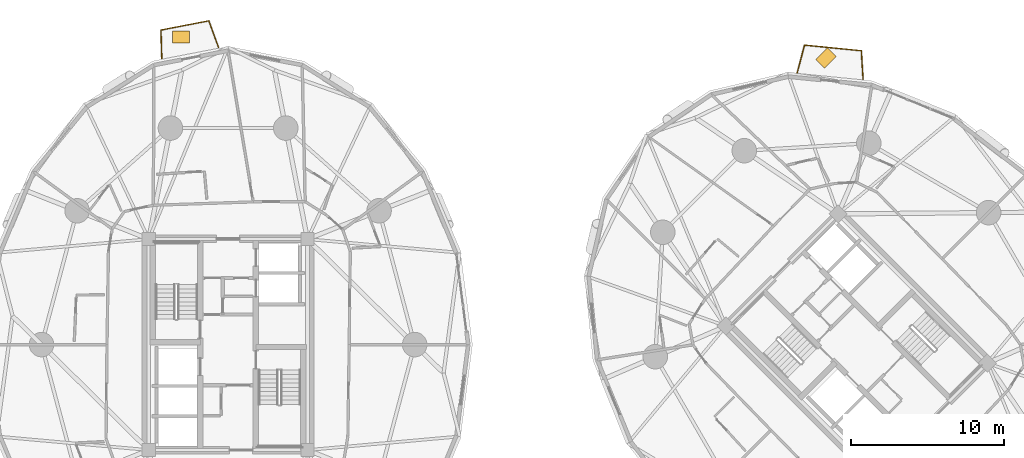
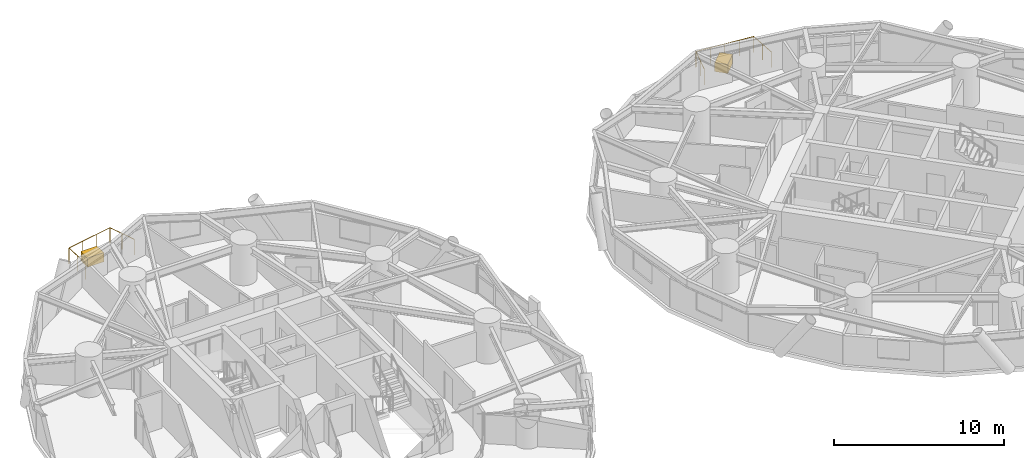
# One storey, part 18 of 18: 2 coverings, 2 railings.
"""IFC4 building model written with IfcOpenShell, lengths in metres."""

import ifcopenshell
import ifcopenshell.guid

model = None  # the IFC model being written
_history = None  # IfcOwnerHistory: only IFC2X3 demands one
_inside = {}  # id of a spatial element -> (the spatial element, [elements in it])
_under = {}  # id of a project, library or spatial element -> (it, [spatial elements below it])
_declared = {}  # id of a project -> (the project, [libraries it declares])
_typed = {}  # id of a type object -> (the type object, [elements of that type])
_made_of = {}  # id of a material, layer set ... -> (it, [elements and type objects made of it])


def new_model(schema):
    """Start an empty IFC model of exactly this schema.

    Asked for "IFC4X3", IfcOpenShell would pick the latest addendum, in which some entities
    have other attributes; the version numbers below select the first issue.
    IFC2X3 requires an IfcOwnerHistory on every rooted entity: one is made here for all.
    """
    global model, _history
    if schema == "IFC4X3":
        model = ifcopenshell.file(schema_version=(4, 3, 0, 0))
    else:
        model = ifcopenshell.file(schema=schema)
    _inside.clear()
    _under.clear()
    _declared.clear()
    _typed.clear()
    _made_of.clear()
    _history = None
    if model.schema == "IFC2X3":
        org = make("IfcOrganization", Name="unknown")
        user = make(
            "IfcPersonAndOrganization",
            ThePerson=make("IfcPerson", FamilyName="unknown"),
            TheOrganization=org,
        )
        app = make(
            "IfcApplication",
            ApplicationDeveloper=org,
            Version="unknown",
            ApplicationFullName="unknown",
            ApplicationIdentifier="unknown",
        )
        _history = make(
            "IfcOwnerHistory",
            OwningUser=user,
            OwningApplication=app,
            ChangeAction="ADDED",
            CreationDate=0,
        )
    return model


def make(cls, **values):
    """One entity of the class cls with the attributes given. An attribute that is None is left unset."""
    return model.create_entity(
        cls, **{name: value for name, value in values.items() if value is not None}
    )


def rooted(cls, **values):
    """An entity with a GlobalId (a new one), such as an element, a storey or a relation."""
    return make(cls, GlobalId=ifcopenshell.guid.new(), OwnerHistory=_history, **values)


def si_unit(unit_type, name, prefix=None):
    """IfcSIUnit, for example si_unit("LENGTHUNIT", "METRE", prefix="MILLI")."""
    return make("IfcSIUnit", UnitType=unit_type, Prefix=prefix, Name=name)


def assignment(units):
    """IfcUnitAssignment: the units of a project."""
    return None if units is None else make("IfcUnitAssignment", Units=units)


def point(xyz):
    """IfcCartesianPoint."""
    return None if xyz is None else make("IfcCartesianPoint", Coordinates=xyz)


def direction(xyz):
    """IfcDirection."""
    return None if xyz is None else make("IfcDirection", DirectionRatios=xyz)


def frame(location, z_axis=None, x_axis=None):
    """IfcAxis2Placement3D, a coordinate frame: its origin and axes. An axis left out is left unset."""
    return make(
        "IfcAxis2Placement3D",
        Location=point(location),
        Axis=direction(z_axis),
        RefDirection=direction(x_axis),
    )


def frame_2d(location, x_axis=None):
    """IfcAxis2Placement2D, a coordinate frame in the plane: its origin and x axis."""
    return make(
        "IfcAxis2Placement2D", Location=point(location), RefDirection=direction(x_axis)
    )


def origin():
    """The frame at (0, 0, 0) with its axes left unset."""
    return frame((0.0, 0.0, 0.0))


def origin_2d():
    """The frame at (0, 0) in the plane with its x axis left unset."""
    return frame_2d((0.0, 0.0))


def place(relative_to, where):
    """IfcLocalPlacement: puts the frame where relative to a parent placement (None: the world)."""
    return make(
        "IfcLocalPlacement", PlacementRelTo=relative_to, RelativePlacement=where
    )


def context(
    kind, dimensions, precision=None, world=None, true_north=None, identifier=None
):
    """IfcGeometricRepresentationContext, for example the 3D "Model" context."""
    return make(
        "IfcGeometricRepresentationContext",
        ContextIdentifier=identifier,
        ContextType=kind,
        CoordinateSpaceDimension=dimensions,
        Precision=precision,
        WorldCoordinateSystem=world,
        TrueNorth=true_north,
    )


def subcontext(parent, identifier, kind, view, scale=None):
    """IfcGeometricRepresentationSubContext, for example "Body" below "Model"."""
    return make(
        "IfcGeometricRepresentationSubContext",
        ContextIdentifier=identifier,
        ContextType=kind,
        ParentContext=parent,
        TargetScale=scale,
        TargetView=view,
    )


def project(units=None, contexts=None):
    """IfcProject with its units and contexts."""
    return rooted(
        "IfcProject",
        Name="project",
        RepresentationContexts=contexts,
        UnitsInContext=assignment(units),
    )


def spatial(cls, under=None, at=None, **own):
    """A site, building, storey or space (cls), placed at a placement, below another one or the project."""
    s = rooted(cls, ObjectPlacement=at, **own)
    if under is not None:
        _under.setdefault(under.id(), (under, []))[1].append(s)
    return s


def profile(cls, at=None, kind="AREA", **sizes):
    """A parametric profile (cls). Its sizes go by their IFC names, for example OverallWidth=200.0."""
    return make(cls, ProfileType=kind, Position=at, **sizes)


def rectangle(**sizes):
    """IfcRectangleProfileDef."""
    return profile("IfcRectangleProfileDef", **sizes)


def circle(**sizes):
    """IfcCircleProfileDef."""
    return profile("IfcCircleProfileDef", **sizes)


def extrude(swept, where, along, depth):
    """IfcExtrudedAreaSolid: the profile swept, set in the frame where, extruded along a direction by depth."""
    return make(
        "IfcExtrudedAreaSolid",
        SweptArea=swept,
        Position=where,
        ExtrudedDirection=direction(along),
        Depth=depth,
    )


def shape(context_of_items, identifier, shape_type, items):
    """IfcShapeRepresentation: the items that make up one representation, for example the "Body"."""
    return make(
        "IfcShapeRepresentation",
        ContextOfItems=context_of_items,
        RepresentationIdentifier=identifier,
        RepresentationType=shape_type,
        Items=items,
    )


def source(mapping_origin, context_of_items, identifier, shape_type, items):
    """IfcRepresentationMap: a shape defined once, which mapped items show again and again."""
    return make(
        "IfcRepresentationMap",
        MappingOrigin=mapping_origin,
        MappedRepresentation=shape(context_of_items, identifier, shape_type, items),
    )


def transform(
    local_origin,
    x_axis=None,
    y_axis=None,
    z_axis=None,
    scale=None,
    scale2=None,
    scale3=None,
    uniform=True,
):
    """IfcCartesianTransformationOperator3D, or its non-uniform kind. x_axis, y_axis, z_axis: its Axis1, 2, 3."""
    if uniform:
        return make(
            "IfcCartesianTransformationOperator3D",
            Axis1=direction(x_axis),
            Axis2=direction(y_axis),
            LocalOrigin=point(local_origin),
            Scale=scale,
            Axis3=direction(z_axis),
        )
    return make(
        "IfcCartesianTransformationOperator3DnonUniform",
        Axis1=direction(x_axis),
        Axis2=direction(y_axis),
        LocalOrigin=point(local_origin),
        Scale=scale,
        Axis3=direction(z_axis),
        Scale2=scale2,
        Scale3=scale3,
    )


def mapped(mapping_source, mapping_target):
    """IfcMappedItem: shows the shape of a source again, moved by a transform."""
    return make(
        "IfcMappedItem", MappingSource=mapping_source, MappingTarget=mapping_target
    )


def material(Name=None, Category=None):
    """IfcMaterial."""
    return make("IfcMaterial", Name=Name, Category=Category)


def layer(
    of_material, thickness, ventilated=None, Name=None, Category=None, Priority=None
):
    """IfcMaterialLayer: one layer of a wall or slab, of a material (None: an air gap)."""
    return make(
        "IfcMaterialLayer",
        Material=of_material,
        LayerThickness=thickness,
        IsVentilated=ventilated,
        Name=Name,
        Category=Category,
        Priority=Priority,
    )


def layer_set(layers, Name=None):
    """IfcMaterialLayerSet."""
    return make("IfcMaterialLayerSet", MaterialLayers=layers, LayerSetName=Name)


def made_of(thing, what):
    """Note that an element or type object is made of a material, layer set ...; save() writes the relation."""
    if what is not None:
        _made_of.setdefault(what.id(), (what, []))[1].append(thing)
    return thing


def type_object(cls, material=None, **own):
    """A type object (cls), such as IfcWallType, which elements share."""
    return made_of(rooted(cls, **own), material)


def element(
    cls,
    number,
    at=None,
    inside=None,
    cuts=None,
    type_object=None,
    material=None,
    context=None,
    identifier="Body",
    shape_type=None,
    held_by="IfcProductDefinitionShape",
    body=None,
    shapes=None,
    **own,
):
    """One element of the class cls, such as IfcWall. Its Tag is "e" and its number.

    at: its placement. inside: the storey or other place that contains it. cuts: it is an
    opening in that element (IfcRelVoidsElement). A single representation is given by context,
    identifier, shape_type and body (its items); several are given by shapes. held_by: the class
    of the entity that holds the representations. save() writes the other relations.
    """
    e = rooted(cls, Tag="e%d" % number, ObjectPlacement=at, **own)
    if body is not None:
        shapes = [shape(context, identifier, shape_type, body)]
    if shapes is not None:
        e.Representation = make(held_by, Representations=shapes)
    if inside is not None:
        _inside.setdefault(inside.id(), (inside, []))[1].append(e)
    if cuts is not None:
        rooted(
            "IfcRelVoidsElement", RelatingBuildingElement=cuts, RelatedOpeningElement=e
        )
    if type_object is not None:
        _typed.setdefault(type_object.id(), (type_object, []))[1].append(e)
    return made_of(e, material)


def aggregate(whole, parts):
    """IfcRelAggregates: a whole, such as a stair, and the parts it consists of."""
    return rooted("IfcRelAggregates", RelatingObject=whole, RelatedObjects=parts)


def save(model, path):
    """Write the relations noted so far, then the file.

    IfcRelAggregates (storeys below a building ...), IfcRelContainedInSpatialStructure (elements
    in a storey), IfcRelDefinesByType, IfcRelAssociatesMaterial and IfcRelDeclares: one each for
    every whole, place, type object, material and project.
    """
    for whole, parts in _under.values():
        aggregate(whole, parts)
    for where, things in _inside.values():
        rooted(
            "IfcRelContainedInSpatialStructure",
            RelatedElements=things,
            RelatingStructure=where,
        )
    for kind, things in _typed.values():
        rooted("IfcRelDefinesByType", RelatedObjects=things, RelatingType=kind)
    for what, things in _made_of.values():
        rooted("IfcRelAssociatesMaterial", RelatedObjects=things, RelatingMaterial=what)
    for by, libraries in _declared.values():
        rooted("IfcRelDeclares", RelatingContext=by, RelatedDefinitions=libraries)
    model.write(path)


model = new_model("IFC4")

# Units and contexts
model_context = context("Model", 3, precision=1e-05, world=origin(), true_north=direction((0.0, 1.0)))
body_context = subcontext(model_context, "Body", "Model", "MODEL_VIEW")
ifc_project = project(units=[si_unit("LENGTHUNIT", "METRE"), si_unit("AREAUNIT", "SQUARE_METRE"), si_unit("VOLUMEUNIT", "CUBIC_METRE"), si_unit("PLANEANGLEUNIT", "RADIAN"), si_unit("MASSUNIT", "GRAM", prefix="KILO")], contexts=[model_context])

# Site, building, storey
site_placement = place(None, origin())
site = spatial("IfcSite", under=ifc_project, at=site_placement, CompositionType="ELEMENT")
building_placement = place(site_placement, origin())
building = spatial("IfcBuilding", under=site, at=building_placement, Name="Cununo Teusaquillo Station Towers", CompositionType="ELEMENT")
storey_placement = place(building_placement, frame((0.0, 0.0, 51.10009765625)))
storey = spatial("IfcBuildingStorey", under=building, at=storey_placement, Name="L15", CompositionType="ELEMENT", Elevation=51.10009765625)

# Railings
ifc_material_1 = material(Name="Anodised dark bronze aluminium EN AW-6063-T6", Category="aluminium")
railing_type = type_object("IfcRailingType", Name="RL-EXT-GUARD", PredefinedType="GUARDRAIL", material=ifc_material_1)
railing_1_placement = place(storey_placement, frame((12.17626953125, 43.155517578125, 0.0)))
element("IfcRailing", 1, at=railing_1_placement, inside=storey, type_object=railing_type, Name="L15 Tower A Balcony Guardrail C05", PredefinedType="GUARDRAIL", context=body_context, shape_type="SweptSolid", body=[
    extrude(circle(Radius=0.02392578125, at=origin_2d()), frame((0.0, 0.0, 1.1259765625), z_axis=(-0.030654001707, 0.999530055666, 0.0), x_axis=(-0.999530055666, -0.030654001707, 0.0)), (0.0, 0.0, 1.0), 1.86376953125),
    extrude(circle(Radius=0.02392578125, at=origin_2d()), frame((-0.05712890625, 1.86279296875, 1.1259765625), z_axis=(0.981832956512, 0.189747320158, 0.0), x_axis=(-0.189747320158, 0.981832956512, 0.0)), (0.0, 0.0, 1.0), 3.179443359375),
    extrude(circle(Radius=0.02392578125, at=origin_2d()), frame((3.064453125, 2.466064453125, 1.1259765625), z_axis=(0.343992902358, -0.938972248326, 0.0), x_axis=(0.938972248326, 0.343992902358, 0.0)), (0.0, 0.0, 1.0), 1.86376953125),
    extrude(circle(Radius=0.02099609375, at=origin_2d()), origin(), (0.0, 0.0, 1.0), 1.101806640625),
    extrude(circle(Radius=0.02099609375, at=origin_2d()), frame((-0.028564453125, 0.931396484375, 0.0)), (0.0, 0.0, 1.0), 1.101806640625),
    extrude(circle(Radius=0.02099609375, at=origin_2d()), frame((-0.05712890625, 1.86279296875, 0.0)), (0.0, 0.0, 1.0), 1.101806640625),
    extrude(circle(Radius=0.02099609375, at=origin_2d()), frame((0.9833984375, 2.06396484375, 0.0)), (0.0, 0.0, 1.0), 1.101806640625),
    extrude(circle(Radius=0.02099609375, at=origin_2d()), frame((2.02392578125, 2.264892578125, 0.0)), (0.0, 0.0, 1.0), 1.101806640625),
    extrude(circle(Radius=0.02099609375, at=origin_2d()), frame((3.064453125, 2.466064453125, 0.0)), (0.0, 0.0, 1.0), 1.101806640625),
    extrude(circle(Radius=0.02099609375, at=origin_2d()), frame((3.385009765625, 1.591064453125, 0.0)), (0.0, 0.0, 1.0), 1.101806640625),
    extrude(circle(Radius=0.02099609375, at=origin_2d()), frame((3.70556640625, 0.716064453125, 0.0)), (0.0, 0.0, 1.0), 1.101806640625),
])
railing_2_placement = place(storey_placement, frame((53.623779296875, 42.227783203125, 0.0)))
element("IfcRailing", 2, at=railing_2_placement, inside=storey, type_object=railing_type, Name="L15 Tower B Balcony Guardrail C02", PredefinedType="GUARDRAIL", context=body_context, shape_type="SweptSolid", body=[
    extrude(circle(Radius=0.02392578125, at=origin_2d()), frame((0.0, 0.0, 1.1259765625), z_axis=(0.255892560316, 0.966705227862, 0.0), x_axis=(-0.966705227862, 0.255892560316, 0.0)), (0.0, 0.0, 1.0), 1.871826171875),
    extrude(circle(Radius=0.02392578125, at=origin_2d()), frame((0.47900390625, 1.8095703125, 1.1259765625), z_axis=(0.995124513298, -0.098626583811, 0.0), x_axis=(0.098626583811, 0.995124513298, 0.0)), (0.0, 0.0, 1.0), 3.720458984375),
    extrude(circle(Radius=0.02392578125, at=origin_2d()), frame((4.181396484375, 1.442626953125, 1.1259765625), z_axis=(0.061168401776, -0.998127460109, 0.0), x_axis=(0.998127460109, 0.061168401776, 0.0)), (0.0, 0.0, 1.0), 1.871826171875),
    extrude(circle(Radius=0.02099609375, at=origin_2d()), origin(), (0.0, 0.0, 1.0), 1.101806640625),
    extrude(circle(Radius=0.02099609375, at=origin_2d()), frame((0.239501953125, 0.90478515625, 0.0)), (0.0, 0.0, 1.0), 1.101806640625),
    extrude(circle(Radius=0.02099609375, at=origin_2d()), frame((0.47900390625, 1.8095703125, 0.0)), (0.0, 0.0, 1.0), 1.101806640625),
    extrude(circle(Radius=0.02099609375, at=origin_2d()), frame((1.404541015625, 1.7177734375, 0.0)), (0.0, 0.0, 1.0), 1.101806640625),
    extrude(circle(Radius=0.02099609375, at=origin_2d()), frame((2.330078125, 1.6259765625, 0.0)), (0.0, 0.0, 1.0), 1.101806640625),
    extrude(circle(Radius=0.02099609375, at=origin_2d()), frame((3.255859375, 1.534423828125, 0.0)), (0.0, 0.0, 1.0), 1.101806640625),
    extrude(circle(Radius=0.02099609375, at=origin_2d()), frame((4.181396484375, 1.442626953125, 0.0)), (0.0, 0.0, 1.0), 1.101806640625),
    extrude(circle(Radius=0.02099609375, at=origin_2d()), frame((4.23876953125, 0.50830078125, 0.0)), (0.0, 0.0, 1.0), 1.101806640625),
    extrude(circle(Radius=0.02099609375, at=origin_2d()), frame((4.2958984375, -0.42578125, 0.0)), (0.0, 0.0, 1.0), 1.101806640625),
])

# Coverings
ifc_material_2 = material(Name="Architectural GRC planter shell and engineered root-zone substrate", Category="concrete")
ifc_layer = layer(ifc_material_2, 0.64990234375)
ifc_layer_set = layer_set([ifc_layer], Name="Architectural GRC planter shell and engineered root-zone substrate")
covering_type = type_object("IfcCoveringType", Name="COV-TREE-PLANTER", PredefinedType="CLADDING", material=ifc_layer_set)
shared_shape = source(origin(), body_context, "Body", "SweptSolid", [
    extrude(rectangle(XDim=1.10009765625, YDim=0.800048828125, at=origin_2d()), origin(), (0.0, 0.0, 1.0), 0.64990234375),
])
for number, where, z_axis, x_axis, name in (
    (3, (13.43359375, 44.56591796875, 0.0), (0.0, 0.0, 1.0), (1.0, 0.0, 0.0), "L15 Tower A Balcony Tree PLANTER C05"),
    (4, (55.501953125, 43.197509765625, 0.0), (0.0, 0.0, 1.0), (0.707106781187, 0.707106781187, 0.0), "L15 Tower B Balcony Tree PLANTER C02"),
):
    element("IfcCovering", number, at=place(storey_placement, frame(where, z_axis=z_axis, x_axis=x_axis)), inside=storey, type_object=covering_type, Name=name, PredefinedType="CLADDING", context=body_context, shape_type="MappedRepresentation", body=[
        mapped(shared_shape, transform((0.0, 0.0, 0.0), x_axis=(1.0, 0.0, 0.0), y_axis=(0.0, 1.0, 0.0), z_axis=(0.0, 0.0, 1.0), scale=1.0)),
    ])

save(model, "model.ifc")
